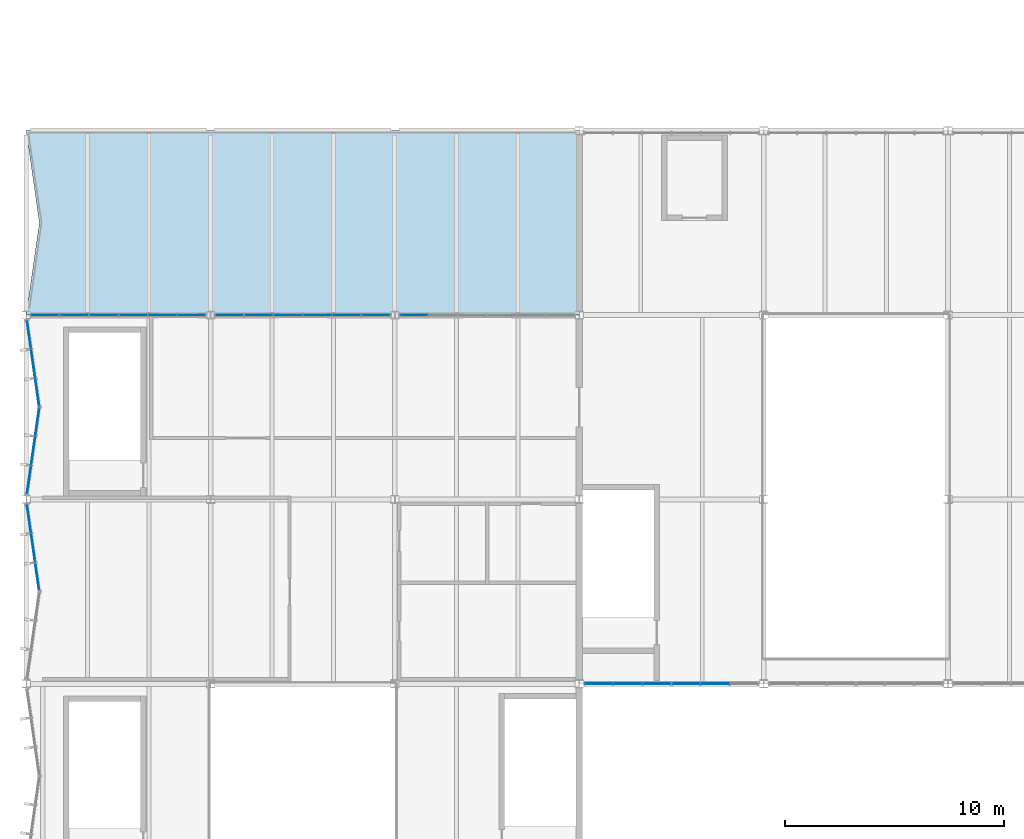
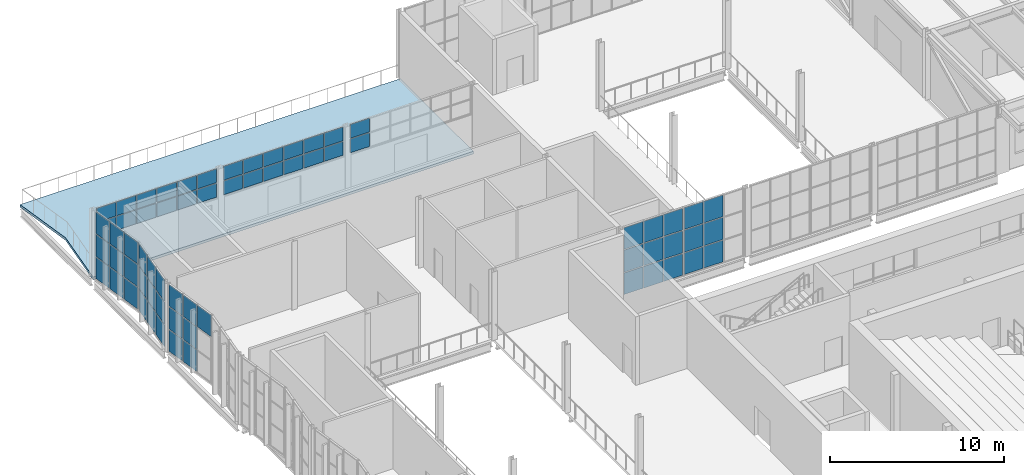
# One storey, part 61 of 116: 66 plates, 1 slab, 8 elements without a shape of their own.
"""IFC4 building model written with IfcOpenShell, lengths in metres."""

from ifc_helpers import new_model, si_unit, direction, frame, origin, origin_2d, place, context, subcontext, project, spatial, polyline, rectangle, outline, extrude, material, layer, layer_set, type_object, element, aggregate, save


model = new_model("IFC4")

# Units and contexts
model_context = context("Model", 3, precision=1e-05, world=origin(), true_north=direction((0.0, 1.0)))
body_context = subcontext(model_context, "Body", "Model", "MODEL_VIEW")
ifc_project = project(units=[si_unit("LENGTHUNIT", "METRE"), si_unit("AREAUNIT", "SQUARE_METRE"), si_unit("VOLUMEUNIT", "CUBIC_METRE"), si_unit("PLANEANGLEUNIT", "RADIAN"), si_unit("MASSUNIT", "GRAM", prefix="KILO")], contexts=[model_context])

# Site, building, storey
site_placement = place(None, origin())
site = spatial("IfcSite", under=ifc_project, at=site_placement, CompositionType="ELEMENT")
building_placement = place(site_placement, origin())
building = spatial("IfcBuilding", under=site, at=building_placement, Name="Ljudholm Concert House", CompositionType="ELEMENT")
storey_placement = place(building_placement, frame((0.0, 0.0, 10.199951171875)))
storey = spatial("IfcBuildingStorey", under=building, at=storey_placement, Name="L02", CompositionType="ELEMENT", Elevation=10.199951171875)

# Slab
ifc_material_1 = material(Name="Concrete 5,000 psi", Category="concrete")
ifc_layer_1 = layer(ifc_material_1, 0.179931640625)
ifc_layer_set_1 = layer_set([ifc_layer_1], Name="Concrete 5,000 psi")
slab_type = type_object("IfcSlabType", Name="COMPOSITE FLOOR SLAB 180 EXTERNAL", PredefinedType="FLOOR", material=ifc_layer_set_1)
slab_placement = place(storey_placement, frame((0.0, 0.0, -0.179931640625)))
element("IfcSlab", 1, at=slab_placement, inside=storey, type_object=slab_type, Name="Terrace slab", PredefinedType="FLOOR", context=body_context, shape_type="SweptSolid", body=[
    extrude(outline(polyline([(4.0, 121.60009765625), (29.199951171875, 121.60009765625), (29.199951171875, 130.0), (4.0, 130.0), (4.60009765625, 125.800048828125), (4.0, 121.60009765625)])), origin(), (0.0, 0.0, 1.0), 0.179931640625),
])

# Curtain wall, plates
ifc_material_2 = material(Name="Aluminium curtain wall with impact-rated laminated glass", Category="aluminium")
curtain_wall_type = type_object("IfcCurtainWallType", Name="CURTAIN WALL 1400", PredefinedType="NOTDEFINED", material=ifc_material_2)
curtain_wall_1_placement = place(storey_placement, origin())
curtain_wall_1 = element("IfcCurtainWall", 2, at=curtain_wall_1_placement, inside=storey, type_object=curtain_wall_type, Name="Facade curtain wall", PredefinedType="NOTDEFINED")
ifc_material_3 = material(Name="Impact-rated laminated glass", Category="glass")
ifc_layer_2 = layer(ifc_material_3, 0.028076171875)
ifc_layer_set_2 = layer_set([ifc_layer_2], Name="Impact-rated laminated glass")
plate_type = type_object("IfcPlateType", Name="CURTAIN PANEL 28", PredefinedType="CURTAIN_PANEL", material=ifc_layer_set_2)
plate_1_placement = place(storey_placement, frame((4.503173828125, 109.678466796875, 3.22998046875), z_axis=(0.0, 0.0, 1.0), x_axis=(-0.141421356338, 0.989949493647, 0.0)))
plate_1 = element("IfcPlate", 3, at=plate_1_placement, type_object=plate_type, Name="Curtain wall panel", PredefinedType="CURTAIN_PANEL", context=body_context, shape_type="SweptSolid", body=[
    extrude(rectangle(XDim=1.2509765625, YDim=0.028076171875, at=origin_2d()), origin(), (0.0, 0.0, 1.0), 1.510009765625),
])
plate_2_placement = place(storey_placement, frame((4.315673828125, 110.9912109375, 0.06005859375), z_axis=(0.0, 0.0, 1.0), x_axis=(-0.141421356338, 0.989949493647, 0.0)))
plate_2 = element("IfcPlate", 4, at=plate_2_placement, type_object=plate_type, Name="Curtain wall panel", PredefinedType="CURTAIN_PANEL", context=body_context, shape_type="SweptSolid", body=[
    extrude(rectangle(XDim=1.28076171875, YDim=0.028076171875, at=origin_2d()), origin(), (0.0, 0.0, 1.0), 1.510009765625),
])
plate_3_placement = place(storey_placement, frame((4.315673828125, 110.9912109375, 1.630126953125), z_axis=(0.0, 0.0, 1.0), x_axis=(-0.141421356338, 0.989949493647, 0.0)))
plate_3 = element("IfcPlate", 5, at=plate_3_placement, type_object=plate_type, Name="Curtain wall panel", PredefinedType="CURTAIN_PANEL", context=body_context, shape_type="SweptSolid", body=[
    extrude(rectangle(XDim=1.28076171875, YDim=0.028076171875, at=origin_2d()), origin(), (0.0, 0.0, 1.0), 1.5400390625),
])
plate_4_placement = place(storey_placement, frame((4.315673828125, 110.9912109375, 3.22998046875), z_axis=(0.0, 0.0, 1.0), x_axis=(-0.141421356338, 0.989949493647, 0.0)))
plate_4 = element("IfcPlate", 6, at=plate_4_placement, type_object=plate_type, Name="Curtain wall panel", PredefinedType="CURTAIN_PANEL", context=body_context, shape_type="SweptSolid", body=[
    extrude(rectangle(XDim=1.28076171875, YDim=0.028076171875, at=origin_2d()), origin(), (0.0, 0.0, 1.0), 1.510009765625),
])
plate_5_placement = place(storey_placement, frame((4.1279296875, 112.3037109375, 0.06005859375), z_axis=(0.0, 0.0, 1.0), x_axis=(-0.141421356338, 0.989949493647, 0.0)))
plate_5 = element("IfcPlate", 7, at=plate_5_placement, type_object=plate_type, Name="Curtain wall panel", PredefinedType="CURTAIN_PANEL", context=body_context, shape_type="SweptSolid", body=[
    extrude(rectangle(XDim=1.2509765625, YDim=0.028076171875, at=origin_2d()), origin(), (0.0, 0.0, 1.0), 1.510009765625),
])
plate_6_placement = place(storey_placement, frame((4.1279296875, 112.3037109375, 1.630126953125), z_axis=(0.0, 0.0, 1.0), x_axis=(-0.141421356338, 0.989949493647, 0.0)))
plate_6 = element("IfcPlate", 8, at=plate_6_placement, type_object=plate_type, Name="Curtain wall panel", PredefinedType="CURTAIN_PANEL", context=body_context, shape_type="SweptSolid", body=[
    extrude(rectangle(XDim=1.2509765625, YDim=0.028076171875, at=origin_2d()), origin(), (0.0, 0.0, 1.0), 1.5400390625),
])
plate_7_placement = place(storey_placement, frame((4.1279296875, 112.3037109375, 3.22998046875), z_axis=(0.0, 0.0, 1.0), x_axis=(-0.141421356338, 0.989949493647, 0.0)))
plate_7 = element("IfcPlate", 9, at=plate_7_placement, type_object=plate_type, Name="Curtain wall panel", PredefinedType="CURTAIN_PANEL", context=body_context, shape_type="SweptSolid", body=[
    extrude(rectangle(XDim=1.2509765625, YDim=0.028076171875, at=origin_2d()), origin(), (0.0, 0.0, 1.0), 1.510009765625),
])
aggregate(curtain_wall_1, [plate_1, plate_2, plate_3, plate_4, plate_5, plate_6, plate_7])

curtain_wall_2_placement = place(storey_placement, origin())
curtain_wall_2 = element("IfcCurtainWall", 10, at=curtain_wall_2_placement, inside=storey, type_object=curtain_wall_type, Name="Facade curtain wall", PredefinedType="NOTDEFINED")
plate_8_placement = place(storey_placement, frame((4.1279296875, 114.096435546875, 0.06005859375), z_axis=(0.0, 0.0, 1.0), x_axis=(0.141421356338, 0.989949493647, 0.0)))
plate_8 = element("IfcPlate", 11, at=plate_8_placement, type_object=plate_type, Name="Curtain wall panel", PredefinedType="CURTAIN_PANEL", context=body_context, shape_type="SweptSolid", body=[
    extrude(rectangle(XDim=1.2509765625, YDim=0.028076171875, at=origin_2d()), origin(), (0.0, 0.0, 1.0), 1.510009765625),
])
plate_9_placement = place(storey_placement, frame((4.1279296875, 114.096435546875, 1.630126953125), z_axis=(0.0, 0.0, 1.0), x_axis=(0.141421356338, 0.989949493647, 0.0)))
plate_9 = element("IfcPlate", 12, at=plate_9_placement, type_object=plate_type, Name="Curtain wall panel", PredefinedType="CURTAIN_PANEL", context=body_context, shape_type="SweptSolid", body=[
    extrude(rectangle(XDim=1.2509765625, YDim=0.028076171875, at=origin_2d()), origin(), (0.0, 0.0, 1.0), 1.5400390625),
])
plate_10_placement = place(storey_placement, frame((4.1279296875, 114.096435546875, 3.22998046875), z_axis=(0.0, 0.0, 1.0), x_axis=(0.141421356338, 0.989949493647, 0.0)))
plate_10 = element("IfcPlate", 13, at=plate_10_placement, type_object=plate_type, Name="Curtain wall panel", PredefinedType="CURTAIN_PANEL", context=body_context, shape_type="SweptSolid", body=[
    extrude(rectangle(XDim=1.2509765625, YDim=0.028076171875, at=origin_2d()), origin(), (0.0, 0.0, 1.0), 1.510009765625),
])
plate_11_placement = place(storey_placement, frame((4.315673828125, 115.408935546875, 0.06005859375), z_axis=(0.0, 0.0, 1.0), x_axis=(0.141421356338, 0.989949493647, 0.0)))
plate_11 = element("IfcPlate", 14, at=plate_11_placement, type_object=plate_type, Name="Curtain wall panel", PredefinedType="CURTAIN_PANEL", context=body_context, shape_type="SweptSolid", body=[
    extrude(rectangle(XDim=1.28076171875, YDim=0.028076171875, at=origin_2d()), origin(), (0.0, 0.0, 1.0), 1.510009765625),
])
plate_12_placement = place(storey_placement, frame((4.315673828125, 115.408935546875, 1.630126953125), z_axis=(0.0, 0.0, 1.0), x_axis=(0.141421356338, 0.989949493647, 0.0)))
plate_12 = element("IfcPlate", 15, at=plate_12_placement, type_object=plate_type, Name="Curtain wall panel", PredefinedType="CURTAIN_PANEL", context=body_context, shape_type="SweptSolid", body=[
    extrude(rectangle(XDim=1.28076171875, YDim=0.028076171875, at=origin_2d()), origin(), (0.0, 0.0, 1.0), 1.5400390625),
])
plate_13_placement = place(storey_placement, frame((4.315673828125, 115.408935546875, 3.22998046875), z_axis=(0.0, 0.0, 1.0), x_axis=(0.141421356338, 0.989949493647, 0.0)))
plate_13 = element("IfcPlate", 16, at=plate_13_placement, type_object=plate_type, Name="Curtain wall panel", PredefinedType="CURTAIN_PANEL", context=body_context, shape_type="SweptSolid", body=[
    extrude(rectangle(XDim=1.28076171875, YDim=0.028076171875, at=origin_2d()), origin(), (0.0, 0.0, 1.0), 1.510009765625),
])
plate_14_placement = place(storey_placement, frame((4.503173828125, 116.721435546875, 0.06005859375), z_axis=(0.0, 0.0, 1.0), x_axis=(0.141421356338, 0.989949493647, 0.0)))
plate_14 = element("IfcPlate", 17, at=plate_14_placement, type_object=plate_type, Name="Curtain wall panel", PredefinedType="CURTAIN_PANEL", context=body_context, shape_type="SweptSolid", body=[
    extrude(rectangle(XDim=1.2509765625, YDim=0.028076171875, at=origin_2d()), origin(), (0.0, 0.0, 1.0), 1.510009765625),
])
plate_15_placement = place(storey_placement, frame((4.503173828125, 116.721435546875, 1.630126953125), z_axis=(0.0, 0.0, 1.0), x_axis=(0.141421356338, 0.989949493647, 0.0)))
plate_15 = element("IfcPlate", 18, at=plate_15_placement, type_object=plate_type, Name="Curtain wall panel", PredefinedType="CURTAIN_PANEL", context=body_context, shape_type="SweptSolid", body=[
    extrude(rectangle(XDim=1.2509765625, YDim=0.028076171875, at=origin_2d()), origin(), (0.0, 0.0, 1.0), 1.5400390625),
])
plate_16_placement = place(storey_placement, frame((4.503173828125, 116.721435546875, 3.22998046875), z_axis=(0.0, 0.0, 1.0), x_axis=(0.141421356338, 0.989949493647, 0.0)))
plate_16 = element("IfcPlate", 19, at=plate_16_placement, type_object=plate_type, Name="Curtain wall panel", PredefinedType="CURTAIN_PANEL", context=body_context, shape_type="SweptSolid", body=[
    extrude(rectangle(XDim=1.2509765625, YDim=0.028076171875, at=origin_2d()), origin(), (0.0, 0.0, 1.0), 1.510009765625),
])
aggregate(curtain_wall_2, [plate_8, plate_9, plate_10, plate_11, plate_12, plate_13, plate_14, plate_15, plate_16])

curtain_wall_3_placement = place(storey_placement, origin())
curtain_wall_3 = element("IfcCurtainWall", 20, at=curtain_wall_3_placement, inside=storey, type_object=curtain_wall_type, Name="Facade curtain wall", PredefinedType="NOTDEFINED")
plate_17_placement = place(storey_placement, frame((4.503173828125, 118.07861328125, 0.06005859375), z_axis=(0.0, 0.0, 1.0), x_axis=(-0.141421356338, 0.989949493647, 0.0)))
plate_17 = element("IfcPlate", 21, at=plate_17_placement, type_object=plate_type, Name="Curtain wall panel", PredefinedType="CURTAIN_PANEL", context=body_context, shape_type="SweptSolid", body=[
    extrude(rectangle(XDim=1.2509765625, YDim=0.028076171875, at=origin_2d()), origin(), (0.0, 0.0, 1.0), 1.510009765625),
])
plate_18_placement = place(storey_placement, frame((4.503173828125, 118.07861328125, 1.630126953125), z_axis=(0.0, 0.0, 1.0), x_axis=(-0.141421356338, 0.989949493647, 0.0)))
plate_18 = element("IfcPlate", 22, at=plate_18_placement, type_object=plate_type, Name="Curtain wall panel", PredefinedType="CURTAIN_PANEL", context=body_context, shape_type="SweptSolid", body=[
    extrude(rectangle(XDim=1.2509765625, YDim=0.028076171875, at=origin_2d()), origin(), (0.0, 0.0, 1.0), 1.5400390625),
])
plate_19_placement = place(storey_placement, frame((4.503173828125, 118.07861328125, 3.22998046875), z_axis=(0.0, 0.0, 1.0), x_axis=(-0.141421356338, 0.989949493647, 0.0)))
plate_19 = element("IfcPlate", 23, at=plate_19_placement, type_object=plate_type, Name="Curtain wall panel", PredefinedType="CURTAIN_PANEL", context=body_context, shape_type="SweptSolid", body=[
    extrude(rectangle(XDim=1.2509765625, YDim=0.028076171875, at=origin_2d()), origin(), (0.0, 0.0, 1.0), 1.510009765625),
])
plate_20_placement = place(storey_placement, frame((4.315673828125, 119.39111328125, 0.06005859375), z_axis=(0.0, 0.0, 1.0), x_axis=(-0.141421356338, 0.989949493647, 0.0)))
plate_20 = element("IfcPlate", 24, at=plate_20_placement, type_object=plate_type, Name="Curtain wall panel", PredefinedType="CURTAIN_PANEL", context=body_context, shape_type="SweptSolid", body=[
    extrude(rectangle(XDim=1.28076171875, YDim=0.028076171875, at=origin_2d()), origin(), (0.0, 0.0, 1.0), 1.510009765625),
])
plate_21_placement = place(storey_placement, frame((4.315673828125, 119.39111328125, 1.630126953125), z_axis=(0.0, 0.0, 1.0), x_axis=(-0.141421356338, 0.989949493647, 0.0)))
plate_21 = element("IfcPlate", 25, at=plate_21_placement, type_object=plate_type, Name="Curtain wall panel", PredefinedType="CURTAIN_PANEL", context=body_context, shape_type="SweptSolid", body=[
    extrude(rectangle(XDim=1.28076171875, YDim=0.028076171875, at=origin_2d()), origin(), (0.0, 0.0, 1.0), 1.5400390625),
])
plate_22_placement = place(storey_placement, frame((4.315673828125, 119.39111328125, 3.22998046875), z_axis=(0.0, 0.0, 1.0), x_axis=(-0.141421356338, 0.989949493647, 0.0)))
plate_22 = element("IfcPlate", 26, at=plate_22_placement, type_object=plate_type, Name="Curtain wall panel", PredefinedType="CURTAIN_PANEL", context=body_context, shape_type="SweptSolid", body=[
    extrude(rectangle(XDim=1.28076171875, YDim=0.028076171875, at=origin_2d()), origin(), (0.0, 0.0, 1.0), 1.510009765625),
])
plate_23_placement = place(storey_placement, frame((4.1279296875, 120.70361328125, 0.06005859375), z_axis=(0.0, 0.0, 1.0), x_axis=(-0.141421356338, 0.989949493647, 0.0)))
plate_23 = element("IfcPlate", 27, at=plate_23_placement, type_object=plate_type, Name="Curtain wall panel", PredefinedType="CURTAIN_PANEL", context=body_context, shape_type="SweptSolid", body=[
    extrude(rectangle(XDim=1.2509765625, YDim=0.028076171875, at=origin_2d()), origin(), (0.0, 0.0, 1.0), 1.510009765625),
])
plate_24_placement = place(storey_placement, frame((4.1279296875, 120.70361328125, 1.630126953125), z_axis=(0.0, 0.0, 1.0), x_axis=(-0.141421356338, 0.989949493647, 0.0)))
plate_24 = element("IfcPlate", 28, at=plate_24_placement, type_object=plate_type, Name="Curtain wall panel", PredefinedType="CURTAIN_PANEL", context=body_context, shape_type="SweptSolid", body=[
    extrude(rectangle(XDim=1.2509765625, YDim=0.028076171875, at=origin_2d()), origin(), (0.0, 0.0, 1.0), 1.5400390625),
])
plate_25_placement = place(storey_placement, frame((4.1279296875, 120.70361328125, 3.22998046875), z_axis=(0.0, 0.0, 1.0), x_axis=(-0.141421356338, 0.989949493647, 0.0)))
plate_25 = element("IfcPlate", 29, at=plate_25_placement, type_object=plate_type, Name="Curtain wall panel", PredefinedType="CURTAIN_PANEL", context=body_context, shape_type="SweptSolid", body=[
    extrude(rectangle(XDim=1.2509765625, YDim=0.028076171875, at=origin_2d()), origin(), (0.0, 0.0, 1.0), 1.510009765625),
])
aggregate(curtain_wall_3, [plate_17, plate_18, plate_19, plate_20, plate_21, plate_22, plate_23, plate_24, plate_25])

curtain_wall_4_placement = place(storey_placement, origin())
curtain_wall_4 = element("IfcCurtainWall", 30, at=curtain_wall_4_placement, inside=storey, type_object=curtain_wall_type, Name="Terrace curtain wall", PredefinedType="NOTDEFINED")
plate_26_placement = place(storey_placement, frame((4.86328125, 121.60009765625, 2.760009765625), z_axis=(0.0, 0.0, 1.0), x_axis=(1.0, 0.0, 0.0)))
plate_26 = element("IfcPlate", 31, at=plate_26_placement, type_object=plate_type, Name="Curtain wall panel", PredefinedType="CURTAIN_PANEL", context=body_context, shape_type="SweptSolid", body=[
    extrude(rectangle(XDim=1.250732421875, YDim=0.028076171875, at=origin_2d()), origin(), (0.0, 0.0, 1.0), 0.9599609375),
])
plate_27_placement = place(storey_placement, frame((4.86328125, 121.60009765625, 3.780029296875), z_axis=(0.0, 0.0, 1.0), x_axis=(1.0, 0.0, 0.0)))
plate_27 = element("IfcPlate", 32, at=plate_27_placement, type_object=plate_type, Name="Curtain wall panel", PredefinedType="CURTAIN_PANEL", context=body_context, shape_type="SweptSolid", body=[
    extrude(rectangle(XDim=1.250732421875, YDim=0.028076171875, at=origin_2d()), origin(), (0.0, 0.0, 1.0), 0.9599609375),
])
plate_28_placement = place(storey_placement, frame((6.18896484375, 121.60009765625, 2.760009765625), z_axis=(0.0, 0.0, 1.0), x_axis=(1.0, 0.0, 0.0)))
plate_28 = element("IfcPlate", 33, at=plate_28_placement, type_object=plate_type, Name="Curtain wall panel", PredefinedType="CURTAIN_PANEL", context=body_context, shape_type="SweptSolid", body=[
    extrude(rectangle(XDim=1.28076171875, YDim=0.028076171875, at=origin_2d()), origin(), (0.0, 0.0, 1.0), 0.9599609375),
])
plate_29_placement = place(storey_placement, frame((6.18896484375, 121.60009765625, 3.780029296875), z_axis=(0.0, 0.0, 1.0), x_axis=(1.0, 0.0, 0.0)))
plate_29 = element("IfcPlate", 34, at=plate_29_placement, type_object=plate_type, Name="Curtain wall panel", PredefinedType="CURTAIN_PANEL", context=body_context, shape_type="SweptSolid", body=[
    extrude(rectangle(XDim=1.28076171875, YDim=0.028076171875, at=origin_2d()), origin(), (0.0, 0.0, 1.0), 0.9599609375),
])
plate_30_placement = place(storey_placement, frame((7.529541015625, 121.60009765625, 2.760009765625), z_axis=(0.0, 0.0, 1.0), x_axis=(1.0, 0.0, 0.0)))
plate_30 = element("IfcPlate", 35, at=plate_30_placement, type_object=plate_type, Name="Curtain wall panel", PredefinedType="CURTAIN_PANEL", context=body_context, shape_type="SweptSolid", body=[
    extrude(rectangle(XDim=1.28076171875, YDim=0.028076171875, at=origin_2d()), origin(), (0.0, 0.0, 1.0), 0.9599609375),
])
plate_31_placement = place(storey_placement, frame((7.529541015625, 121.60009765625, 3.780029296875), z_axis=(0.0, 0.0, 1.0), x_axis=(1.0, 0.0, 0.0)))
plate_31 = element("IfcPlate", 36, at=plate_31_placement, type_object=plate_type, Name="Curtain wall panel", PredefinedType="CURTAIN_PANEL", context=body_context, shape_type="SweptSolid", body=[
    extrude(rectangle(XDim=1.28076171875, YDim=0.028076171875, at=origin_2d()), origin(), (0.0, 0.0, 1.0), 0.9599609375),
])
plate_32_placement = place(storey_placement, frame((8.870361328125, 121.60009765625, 2.760009765625), z_axis=(0.0, 0.0, 1.0), x_axis=(1.0, 0.0, 0.0)))
plate_32 = element("IfcPlate", 37, at=plate_32_placement, type_object=plate_type, Name="Curtain wall panel", PredefinedType="CURTAIN_PANEL", context=body_context, shape_type="SweptSolid", body=[
    extrude(rectangle(XDim=1.28076171875, YDim=0.028076171875, at=origin_2d()), origin(), (0.0, 0.0, 1.0), 0.9599609375),
])
plate_33_placement = place(storey_placement, frame((8.870361328125, 121.60009765625, 3.780029296875), z_axis=(0.0, 0.0, 1.0), x_axis=(1.0, 0.0, 0.0)))
plate_33 = element("IfcPlate", 38, at=plate_33_placement, type_object=plate_type, Name="Curtain wall panel", PredefinedType="CURTAIN_PANEL", context=body_context, shape_type="SweptSolid", body=[
    extrude(rectangle(XDim=1.28076171875, YDim=0.028076171875, at=origin_2d()), origin(), (0.0, 0.0, 1.0), 0.9599609375),
])
plate_34_placement = place(storey_placement, frame((10.211181640625, 121.60009765625, 2.760009765625), z_axis=(0.0, 0.0, 1.0), x_axis=(1.0, 0.0, 0.0)))
plate_34 = element("IfcPlate", 39, at=plate_34_placement, type_object=plate_type, Name="Curtain wall panel", PredefinedType="CURTAIN_PANEL", context=body_context, shape_type="SweptSolid", body=[
    extrude(rectangle(XDim=1.28076171875, YDim=0.028076171875, at=origin_2d()), origin(), (0.0, 0.0, 1.0), 0.9599609375),
])
plate_35_placement = place(storey_placement, frame((10.211181640625, 121.60009765625, 3.780029296875), z_axis=(0.0, 0.0, 1.0), x_axis=(1.0, 0.0, 0.0)))
plate_35 = element("IfcPlate", 40, at=plate_35_placement, type_object=plate_type, Name="Curtain wall panel", PredefinedType="CURTAIN_PANEL", context=body_context, shape_type="SweptSolid", body=[
    extrude(rectangle(XDim=1.28076171875, YDim=0.028076171875, at=origin_2d()), origin(), (0.0, 0.0, 1.0), 0.9599609375),
])
plate_36_placement = place(storey_placement, frame((11.536865234375, 121.60009765625, 2.760009765625), z_axis=(0.0, 0.0, 1.0), x_axis=(1.0, 0.0, 0.0)))
plate_36 = element("IfcPlate", 41, at=plate_36_placement, type_object=plate_type, Name="Curtain wall panel", PredefinedType="CURTAIN_PANEL", context=body_context, shape_type="SweptSolid", body=[
    extrude(rectangle(XDim=1.250732421875, YDim=0.028076171875, at=origin_2d()), origin(), (0.0, 0.0, 1.0), 0.9599609375),
])
plate_37_placement = place(storey_placement, frame((11.536865234375, 121.60009765625, 3.780029296875), z_axis=(0.0, 0.0, 1.0), x_axis=(1.0, 0.0, 0.0)))
plate_37 = element("IfcPlate", 42, at=plate_37_placement, type_object=plate_type, Name="Curtain wall panel", PredefinedType="CURTAIN_PANEL", context=body_context, shape_type="SweptSolid", body=[
    extrude(rectangle(XDim=1.250732421875, YDim=0.028076171875, at=origin_2d()), origin(), (0.0, 0.0, 1.0), 0.9599609375),
])
aggregate(curtain_wall_4, [plate_26, plate_27, plate_28, plate_29, plate_30, plate_31, plate_32, plate_33, plate_34, plate_35, plate_36, plate_37])

curtain_wall_5_placement = place(storey_placement, origin())
curtain_wall_5 = element("IfcCurtainWall", 43, at=curtain_wall_5_placement, inside=storey, type_object=curtain_wall_type, Name="Terrace curtain wall", PredefinedType="NOTDEFINED")
plate_38_placement = place(storey_placement, frame((13.26318359375, 121.60009765625, 2.760009765625), z_axis=(0.0, 0.0, 1.0), x_axis=(1.0, 0.0, 0.0)))
plate_38 = element("IfcPlate", 44, at=plate_38_placement, type_object=plate_type, Name="Curtain wall panel", PredefinedType="CURTAIN_PANEL", context=body_context, shape_type="SweptSolid", body=[
    extrude(rectangle(XDim=1.250732421875, YDim=0.028076171875, at=origin_2d()), origin(), (0.0, 0.0, 1.0), 0.9599609375),
])
plate_39_placement = place(storey_placement, frame((13.26318359375, 121.60009765625, 3.780029296875), z_axis=(0.0, 0.0, 1.0), x_axis=(1.0, 0.0, 0.0)))
plate_39 = element("IfcPlate", 45, at=plate_39_placement, type_object=plate_type, Name="Curtain wall panel", PredefinedType="CURTAIN_PANEL", context=body_context, shape_type="SweptSolid", body=[
    extrude(rectangle(XDim=1.250732421875, YDim=0.028076171875, at=origin_2d()), origin(), (0.0, 0.0, 1.0), 0.9599609375),
])
plate_40_placement = place(storey_placement, frame((14.5888671875, 121.60009765625, 2.760009765625), z_axis=(0.0, 0.0, 1.0), x_axis=(1.0, 0.0, 0.0)))
plate_40 = element("IfcPlate", 46, at=plate_40_placement, type_object=plate_type, Name="Curtain wall panel", PredefinedType="CURTAIN_PANEL", context=body_context, shape_type="SweptSolid", body=[
    extrude(rectangle(XDim=1.28076171875, YDim=0.028076171875, at=origin_2d()), origin(), (0.0, 0.0, 1.0), 0.9599609375),
])
plate_41_placement = place(storey_placement, frame((14.5888671875, 121.60009765625, 3.780029296875), z_axis=(0.0, 0.0, 1.0), x_axis=(1.0, 0.0, 0.0)))
plate_41 = element("IfcPlate", 47, at=plate_41_placement, type_object=plate_type, Name="Curtain wall panel", PredefinedType="CURTAIN_PANEL", context=body_context, shape_type="SweptSolid", body=[
    extrude(rectangle(XDim=1.28076171875, YDim=0.028076171875, at=origin_2d()), origin(), (0.0, 0.0, 1.0), 0.9599609375),
])
plate_42_placement = place(storey_placement, frame((15.9296875, 121.60009765625, 2.760009765625), z_axis=(0.0, 0.0, 1.0), x_axis=(1.0, 0.0, 0.0)))
plate_42 = element("IfcPlate", 48, at=plate_42_placement, type_object=plate_type, Name="Curtain wall panel", PredefinedType="CURTAIN_PANEL", context=body_context, shape_type="SweptSolid", body=[
    extrude(rectangle(XDim=1.28076171875, YDim=0.028076171875, at=origin_2d()), origin(), (0.0, 0.0, 1.0), 0.9599609375),
])
plate_43_placement = place(storey_placement, frame((15.9296875, 121.60009765625, 3.780029296875), z_axis=(0.0, 0.0, 1.0), x_axis=(1.0, 0.0, 0.0)))
plate_43 = element("IfcPlate", 49, at=plate_43_placement, type_object=plate_type, Name="Curtain wall panel", PredefinedType="CURTAIN_PANEL", context=body_context, shape_type="SweptSolid", body=[
    extrude(rectangle(XDim=1.28076171875, YDim=0.028076171875, at=origin_2d()), origin(), (0.0, 0.0, 1.0), 0.9599609375),
])
plate_44_placement = place(storey_placement, frame((17.270263671875, 121.60009765625, 2.760009765625), z_axis=(0.0, 0.0, 1.0), x_axis=(1.0, 0.0, 0.0)))
plate_44 = element("IfcPlate", 50, at=plate_44_placement, type_object=plate_type, Name="Curtain wall panel", PredefinedType="CURTAIN_PANEL", context=body_context, shape_type="SweptSolid", body=[
    extrude(rectangle(XDim=1.28076171875, YDim=0.028076171875, at=origin_2d()), origin(), (0.0, 0.0, 1.0), 0.9599609375),
])
plate_45_placement = place(storey_placement, frame((17.270263671875, 121.60009765625, 3.780029296875), z_axis=(0.0, 0.0, 1.0), x_axis=(1.0, 0.0, 0.0)))
plate_45 = element("IfcPlate", 51, at=plate_45_placement, type_object=plate_type, Name="Curtain wall panel", PredefinedType="CURTAIN_PANEL", context=body_context, shape_type="SweptSolid", body=[
    extrude(rectangle(XDim=1.28076171875, YDim=0.028076171875, at=origin_2d()), origin(), (0.0, 0.0, 1.0), 0.9599609375),
])
plate_46_placement = place(storey_placement, frame((18.611083984375, 121.60009765625, 2.760009765625), z_axis=(0.0, 0.0, 1.0), x_axis=(1.0, 0.0, 0.0)))
plate_46 = element("IfcPlate", 52, at=plate_46_placement, type_object=plate_type, Name="Curtain wall panel", PredefinedType="CURTAIN_PANEL", context=body_context, shape_type="SweptSolid", body=[
    extrude(rectangle(XDim=1.28076171875, YDim=0.028076171875, at=origin_2d()), origin(), (0.0, 0.0, 1.0), 0.9599609375),
])
plate_47_placement = place(storey_placement, frame((18.611083984375, 121.60009765625, 3.780029296875), z_axis=(0.0, 0.0, 1.0), x_axis=(1.0, 0.0, 0.0)))
plate_47 = element("IfcPlate", 53, at=plate_47_placement, type_object=plate_type, Name="Curtain wall panel", PredefinedType="CURTAIN_PANEL", context=body_context, shape_type="SweptSolid", body=[
    extrude(rectangle(XDim=1.28076171875, YDim=0.028076171875, at=origin_2d()), origin(), (0.0, 0.0, 1.0), 0.9599609375),
])
plate_48_placement = place(storey_placement, frame((19.936767578125, 121.60009765625, 2.760009765625), z_axis=(0.0, 0.0, 1.0), x_axis=(1.0, 0.0, 0.0)))
plate_48 = element("IfcPlate", 54, at=plate_48_placement, type_object=plate_type, Name="Curtain wall panel", PredefinedType="CURTAIN_PANEL", context=body_context, shape_type="SweptSolid", body=[
    extrude(rectangle(XDim=1.250732421875, YDim=0.028076171875, at=origin_2d()), origin(), (0.0, 0.0, 1.0), 0.9599609375),
])
plate_49_placement = place(storey_placement, frame((19.936767578125, 121.60009765625, 3.780029296875), z_axis=(0.0, 0.0, 1.0), x_axis=(1.0, 0.0, 0.0)))
plate_49 = element("IfcPlate", 55, at=plate_49_placement, type_object=plate_type, Name="Curtain wall panel", PredefinedType="CURTAIN_PANEL", context=body_context, shape_type="SweptSolid", body=[
    extrude(rectangle(XDim=1.250732421875, YDim=0.028076171875, at=origin_2d()), origin(), (0.0, 0.0, 1.0), 0.9599609375),
])
aggregate(curtain_wall_5, [plate_38, plate_39, plate_40, plate_41, plate_42, plate_43, plate_44, plate_45, plate_46, plate_47, plate_48, plate_49])

curtain_wall_6_placement = place(storey_placement, origin())
curtain_wall_6 = element("IfcCurtainWall", 56, at=curtain_wall_6_placement, inside=storey, type_object=curtain_wall_type, Name="Terrace curtain wall", PredefinedType="NOTDEFINED")
plate_50_placement = place(storey_placement, frame((21.6630859375, 121.60009765625, 2.760009765625), z_axis=(0.0, 0.0, 1.0), x_axis=(1.0, 0.0, 0.0)))
plate_50 = element("IfcPlate", 57, at=plate_50_placement, type_object=plate_type, Name="Curtain wall panel", PredefinedType="CURTAIN_PANEL", context=body_context, shape_type="SweptSolid", body=[
    extrude(rectangle(XDim=1.250732421875, YDim=0.028076171875, at=origin_2d()), origin(), (0.0, 0.0, 1.0), 0.9599609375),
])
plate_51_placement = place(storey_placement, frame((21.6630859375, 121.60009765625, 3.780029296875), z_axis=(0.0, 0.0, 1.0), x_axis=(1.0, 0.0, 0.0)))
plate_51 = element("IfcPlate", 58, at=plate_51_placement, type_object=plate_type, Name="Curtain wall panel", PredefinedType="CURTAIN_PANEL", context=body_context, shape_type="SweptSolid", body=[
    extrude(rectangle(XDim=1.250732421875, YDim=0.028076171875, at=origin_2d()), origin(), (0.0, 0.0, 1.0), 0.9599609375),
])
aggregate(curtain_wall_6, [plate_50, plate_51])

curtain_wall_7_placement = place(storey_placement, origin())
curtain_wall_7 = element("IfcCurtainWall", 59, at=curtain_wall_7_placement, inside=storey, type_object=curtain_wall_type, Name="Winter garden curtain wall", PredefinedType="NOTDEFINED")
plate_52_placement = place(storey_placement, frame((30.098388671875, 104.800048828125, 0.06005859375), z_axis=(0.0, 0.0, 1.0), x_axis=(1.0, 0.0, 0.0)))
plate_52 = element("IfcPlate", 60, at=plate_52_placement, type_object=plate_type, Name="Curtain wall panel", PredefinedType="CURTAIN_PANEL", context=body_context, shape_type="SweptSolid", body=[
    extrude(rectangle(XDim=1.236572265625, YDim=0.028076171875, at=origin_2d()), origin(), (0.0, 0.0, 1.0), 1.510009765625),
])
plate_53_placement = place(storey_placement, frame((30.098388671875, 104.800048828125, 1.630126953125), z_axis=(0.0, 0.0, 1.0), x_axis=(1.0, 0.0, 0.0)))
plate_53 = element("IfcPlate", 61, at=plate_53_placement, type_object=plate_type, Name="Curtain wall panel", PredefinedType="CURTAIN_PANEL", context=body_context, shape_type="SweptSolid", body=[
    extrude(rectangle(XDim=1.236572265625, YDim=0.028076171875, at=origin_2d()), origin(), (0.0, 0.0, 1.0), 1.5400390625),
])
plate_54_placement = place(storey_placement, frame((30.098388671875, 104.800048828125, 3.22998046875), z_axis=(0.0, 0.0, 1.0), x_axis=(1.0, 0.0, 0.0)))
plate_54 = element("IfcPlate", 62, at=plate_54_placement, type_object=plate_type, Name="Curtain wall panel", PredefinedType="CURTAIN_PANEL", context=body_context, shape_type="SweptSolid", body=[
    extrude(rectangle(XDim=1.236572265625, YDim=0.028076171875, at=origin_2d()), origin(), (0.0, 0.0, 1.0), 1.510009765625),
])
plate_55_placement = place(storey_placement, frame((31.409912109375, 104.800048828125, 0.06005859375), z_axis=(0.0, 0.0, 1.0), x_axis=(1.0, 0.0, 0.0)))
plate_55 = element("IfcPlate", 63, at=plate_55_placement, type_object=plate_type, Name="Curtain wall panel", PredefinedType="CURTAIN_PANEL", context=body_context, shape_type="SweptSolid", body=[
    extrude(rectangle(XDim=1.2666015625, YDim=0.028076171875, at=origin_2d()), origin(), (0.0, 0.0, 1.0), 1.510009765625),
])
plate_56_placement = place(storey_placement, frame((31.409912109375, 104.800048828125, 1.630126953125), z_axis=(0.0, 0.0, 1.0), x_axis=(1.0, 0.0, 0.0)))
plate_56 = element("IfcPlate", 64, at=plate_56_placement, type_object=plate_type, Name="Curtain wall panel", PredefinedType="CURTAIN_PANEL", context=body_context, shape_type="SweptSolid", body=[
    extrude(rectangle(XDim=1.2666015625, YDim=0.028076171875, at=origin_2d()), origin(), (0.0, 0.0, 1.0), 1.5400390625),
])
plate_57_placement = place(storey_placement, frame((31.409912109375, 104.800048828125, 3.22998046875), z_axis=(0.0, 0.0, 1.0), x_axis=(1.0, 0.0, 0.0)))
plate_57 = element("IfcPlate", 65, at=plate_57_placement, type_object=plate_type, Name="Curtain wall panel", PredefinedType="CURTAIN_PANEL", context=body_context, shape_type="SweptSolid", body=[
    extrude(rectangle(XDim=1.2666015625, YDim=0.028076171875, at=origin_2d()), origin(), (0.0, 0.0, 1.0), 1.510009765625),
])
plate_58_placement = place(storey_placement, frame((32.7216796875, 104.800048828125, 0.06005859375), z_axis=(0.0, 0.0, 1.0), x_axis=(1.0, 0.0, 0.0)))
plate_58 = element("IfcPlate", 66, at=plate_58_placement, type_object=plate_type, Name="Curtain wall panel", PredefinedType="CURTAIN_PANEL", context=body_context, shape_type="SweptSolid", body=[
    extrude(rectangle(XDim=1.236572265625, YDim=0.028076171875, at=origin_2d()), origin(), (0.0, 0.0, 1.0), 1.510009765625),
])
plate_59_placement = place(storey_placement, frame((32.7216796875, 104.800048828125, 1.630126953125), z_axis=(0.0, 0.0, 1.0), x_axis=(1.0, 0.0, 0.0)))
plate_59 = element("IfcPlate", 67, at=plate_59_placement, type_object=plate_type, Name="Curtain wall panel", PredefinedType="CURTAIN_PANEL", context=body_context, shape_type="SweptSolid", body=[
    extrude(rectangle(XDim=1.236572265625, YDim=0.028076171875, at=origin_2d()), origin(), (0.0, 0.0, 1.0), 1.5400390625),
])
plate_60_placement = place(storey_placement, frame((32.7216796875, 104.800048828125, 3.22998046875), z_axis=(0.0, 0.0, 1.0), x_axis=(1.0, 0.0, 0.0)))
plate_60 = element("IfcPlate", 68, at=plate_60_placement, type_object=plate_type, Name="Curtain wall panel", PredefinedType="CURTAIN_PANEL", context=body_context, shape_type="SweptSolid", body=[
    extrude(rectangle(XDim=1.236572265625, YDim=0.028076171875, at=origin_2d()), origin(), (0.0, 0.0, 1.0), 1.510009765625),
])
aggregate(curtain_wall_7, [plate_52, plate_53, plate_54, plate_55, plate_56, plate_57, plate_58, plate_59, plate_60])

curtain_wall_8_placement = place(storey_placement, origin())
curtain_wall_8 = element("IfcCurtainWall", 69, at=curtain_wall_8_placement, inside=storey, type_object=curtain_wall_type, Name="Winter garden curtain wall", PredefinedType="NOTDEFINED")
plate_61_placement = place(storey_placement, frame((34.078369140625, 104.800048828125, 0.06005859375), z_axis=(0.0, 0.0, 1.0), x_axis=(1.0, 0.0, 0.0)))
plate_61 = element("IfcPlate", 70, at=plate_61_placement, type_object=plate_type, Name="Curtain wall panel", PredefinedType="CURTAIN_PANEL", context=body_context, shape_type="SweptSolid", body=[
    extrude(rectangle(XDim=1.236572265625, YDim=0.028076171875, at=origin_2d()), origin(), (0.0, 0.0, 1.0), 1.510009765625),
])
plate_62_placement = place(storey_placement, frame((34.078369140625, 104.800048828125, 1.630126953125), z_axis=(0.0, 0.0, 1.0), x_axis=(1.0, 0.0, 0.0)))
plate_62 = element("IfcPlate", 71, at=plate_62_placement, type_object=plate_type, Name="Curtain wall panel", PredefinedType="CURTAIN_PANEL", context=body_context, shape_type="SweptSolid", body=[
    extrude(rectangle(XDim=1.236572265625, YDim=0.028076171875, at=origin_2d()), origin(), (0.0, 0.0, 1.0), 1.5400390625),
])
plate_63_placement = place(storey_placement, frame((34.078369140625, 104.800048828125, 3.22998046875), z_axis=(0.0, 0.0, 1.0), x_axis=(1.0, 0.0, 0.0)))
plate_63 = element("IfcPlate", 72, at=plate_63_placement, type_object=plate_type, Name="Curtain wall panel", PredefinedType="CURTAIN_PANEL", context=body_context, shape_type="SweptSolid", body=[
    extrude(rectangle(XDim=1.236572265625, YDim=0.028076171875, at=origin_2d()), origin(), (0.0, 0.0, 1.0), 1.510009765625),
])
plate_64_placement = place(storey_placement, frame((35.389892578125, 104.800048828125, 0.06005859375), z_axis=(0.0, 0.0, 1.0), x_axis=(1.0, 0.0, 0.0)))
plate_64 = element("IfcPlate", 73, at=plate_64_placement, type_object=plate_type, Name="Curtain wall panel", PredefinedType="CURTAIN_PANEL", context=body_context, shape_type="SweptSolid", body=[
    extrude(rectangle(XDim=1.2666015625, YDim=0.028076171875, at=origin_2d()), origin(), (0.0, 0.0, 1.0), 1.510009765625),
])
plate_65_placement = place(storey_placement, frame((35.389892578125, 104.800048828125, 1.630126953125), z_axis=(0.0, 0.0, 1.0), x_axis=(1.0, 0.0, 0.0)))
plate_65 = element("IfcPlate", 74, at=plate_65_placement, type_object=plate_type, Name="Curtain wall panel", PredefinedType="CURTAIN_PANEL", context=body_context, shape_type="SweptSolid", body=[
    extrude(rectangle(XDim=1.2666015625, YDim=0.028076171875, at=origin_2d()), origin(), (0.0, 0.0, 1.0), 1.5400390625),
])
plate_66_placement = place(storey_placement, frame((35.389892578125, 104.800048828125, 3.22998046875), z_axis=(0.0, 0.0, 1.0), x_axis=(1.0, 0.0, 0.0)))
plate_66 = element("IfcPlate", 75, at=plate_66_placement, type_object=plate_type, Name="Curtain wall panel", PredefinedType="CURTAIN_PANEL", context=body_context, shape_type="SweptSolid", body=[
    extrude(rectangle(XDim=1.2666015625, YDim=0.028076171875, at=origin_2d()), origin(), (0.0, 0.0, 1.0), 1.510009765625),
])
aggregate(curtain_wall_8, [plate_61, plate_62, plate_63, plate_64, plate_65, plate_66])

save(model, "model.ifc")
